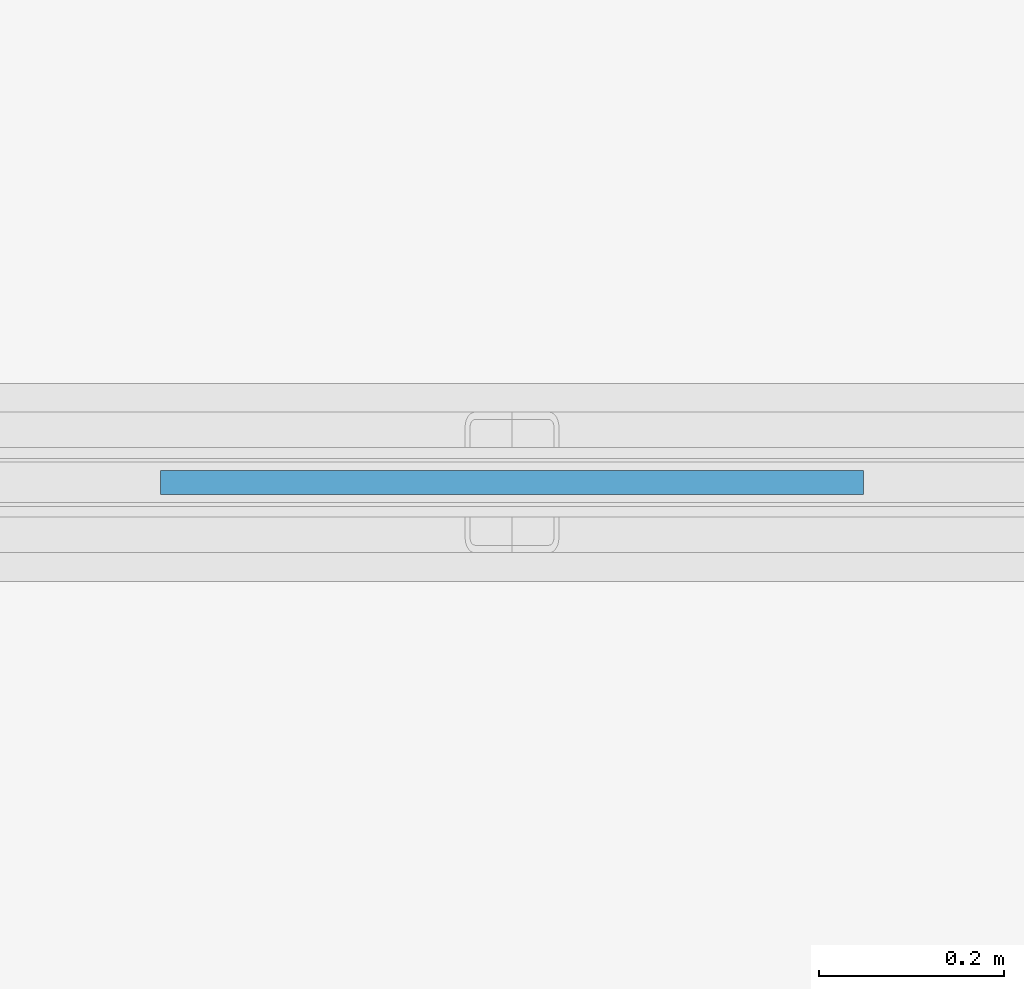
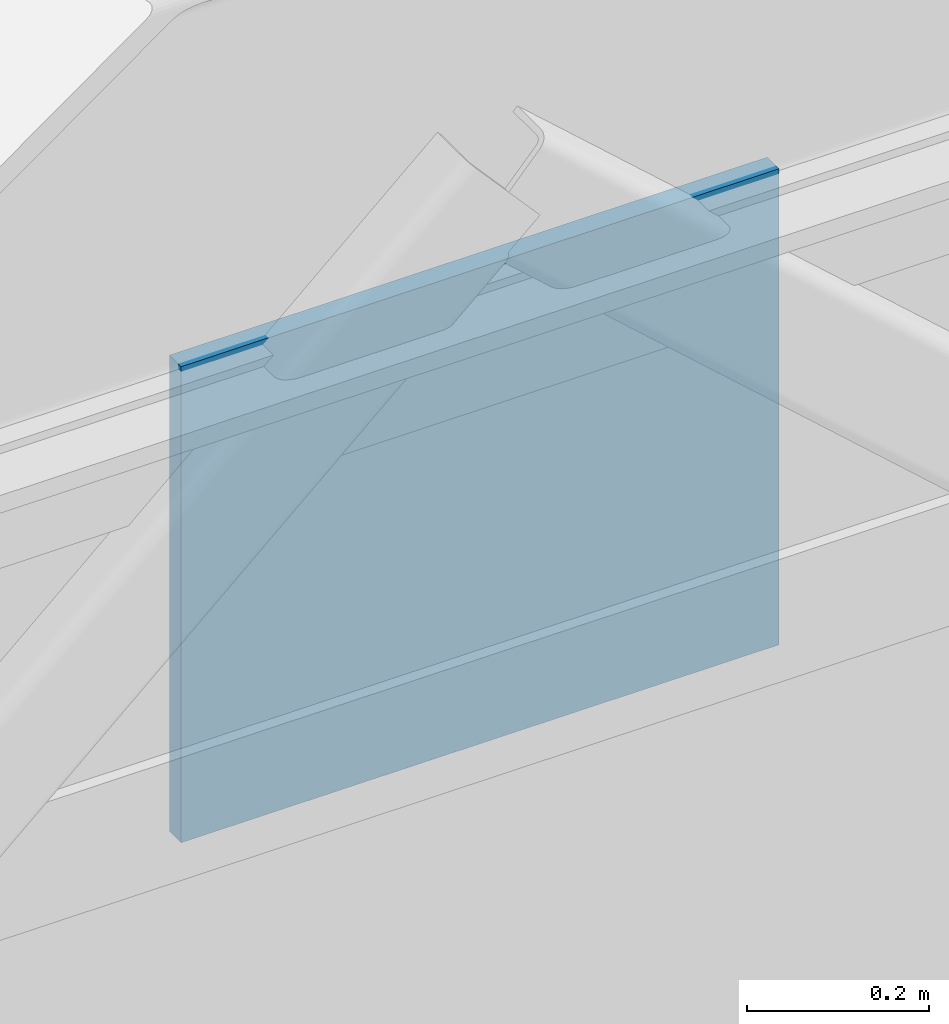
# One storey, part 60 of 89: 1 plate.
"""IFC4 building model written with IfcOpenShell, lengths in metres."""

from ifc_helpers import new_model, si_unit, direction, frame, origin, origin_2d, place, context, subcontext, project, spatial, rectangle, extrude, material, layer, layer_set, type_object, element, save


model = new_model("IFC4")

# Units and contexts
model_context = context("Model", 3, precision=1e-05, world=origin(), true_north=direction((0.0, 1.0)))
body_context = subcontext(model_context, "Body", "Model", "MODEL_VIEW")
ifc_project = project(units=[si_unit("LENGTHUNIT", "METRE"), si_unit("AREAUNIT", "SQUARE_METRE"), si_unit("VOLUMEUNIT", "CUBIC_METRE"), si_unit("PLANEANGLEUNIT", "RADIAN"), si_unit("MASSUNIT", "GRAM", prefix="KILO")], contexts=[model_context])

# Site, building, storey
site_placement = place(None, origin())
site = spatial("IfcSite", under=ifc_project, at=site_placement, CompositionType="ELEMENT")
building_placement = place(site_placement, origin())
building = spatial("IfcBuilding", under=site, at=building_placement, Name="Vaudrelin Polytechnic", CompositionType="ELEMENT")
storey_placement = place(building_placement, frame((0.0, 0.0, 9.68994140625)))
storey = spatial("IfcBuildingStorey", under=building, at=storey_placement, Name="L02", CompositionType="ELEMENT", Elevation=9.68994140625)

# Plate
ifc_material = material(Name="Steel CSA G40.21 350WT", Category="steel")
ifc_layer = layer(ifc_material, 0.02587890625)
ifc_layer_set = layer_set([ifc_layer], Name="Steel CSA G40.21 350WT")
plate_type = type_object("IfcPlateType", Name="PLT-GP-10", PredefinedType="USERDEFINED", material=ifc_layer_set)
plate_placement = place(storey_placement, frame((109.35009765625, 32.39990234375, 2.9912109375), z_axis=(0.0, 0.0, 1.0), x_axis=(1.0, 0.0, 0.0)))
element("IfcPlate", 1, at=plate_placement, inside=storey, type_object=plate_type, Name="Braced-frame apex gusset plate GP-BF09", ObjectType="GUSSET PLATE", PredefinedType="USERDEFINED", context=body_context, shape_type="SweptSolid", body=[
    extrude(rectangle(XDim=0.760009765625, YDim=0.02587890625, at=origin_2d()), origin(), (0.0, 0.0, 1.0), 0.639892578125),
])

save(model, "model.ifc")
